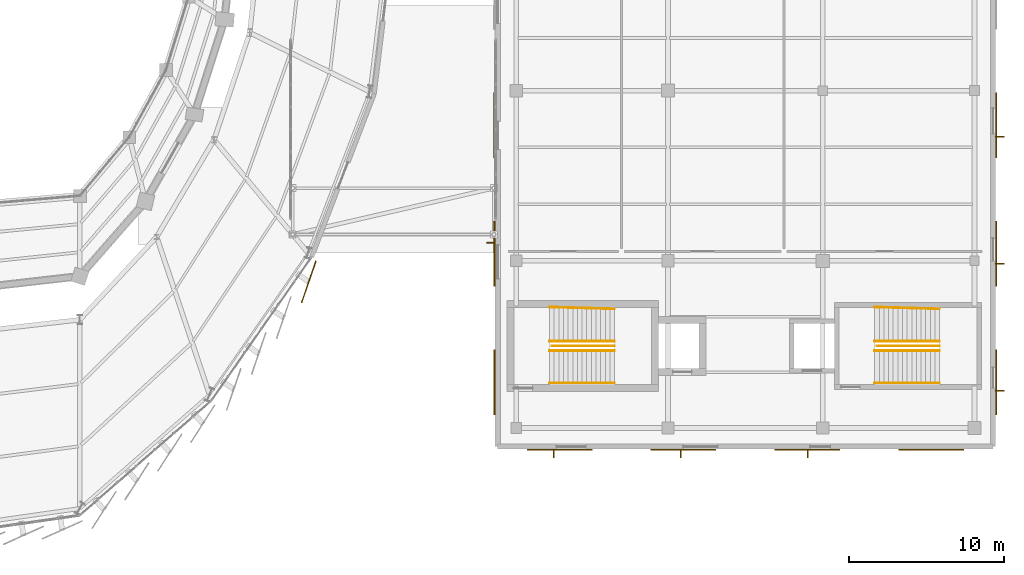
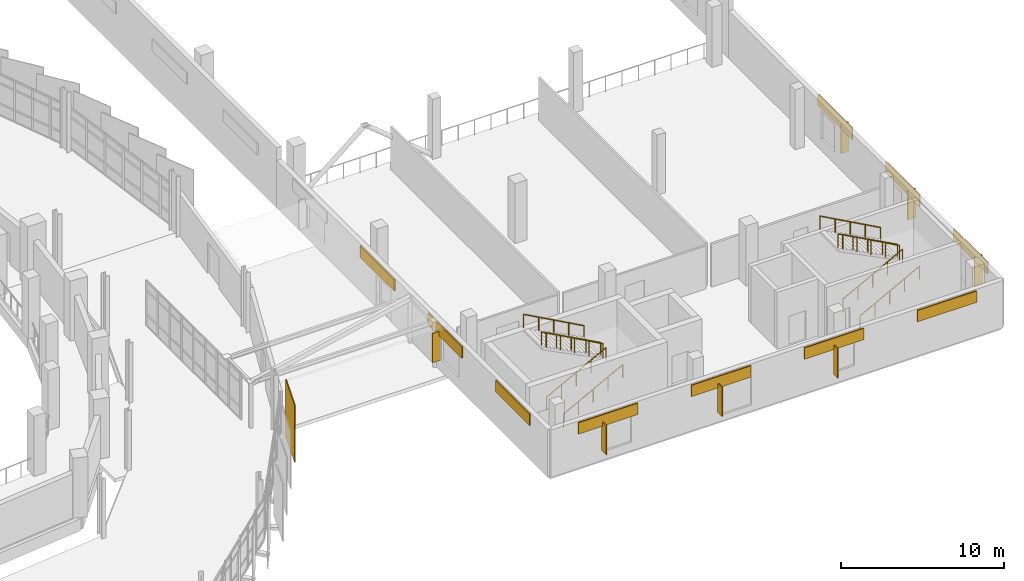
# One storey, part 122 of 125: 11 coverings, 10 railings, 7 shading devices.
"""IFC4 building model written with IfcOpenShell, lengths in metres."""

from ifc_helpers import new_model, si_unit, direction, frame, origin, origin_2d, place, context, subcontext, project, spatial, rectangle, circle, extrude, material, layer, layer_set, type_object, element, save


model = new_model("IFC4")

# Units and contexts
model_context = context("Model", 3, precision=1e-05, world=origin(), true_north=direction((0.0, 1.0)))
body_context = subcontext(model_context, "Body", "Model", "MODEL_VIEW")
ifc_project = project(units=[si_unit("LENGTHUNIT", "METRE"), si_unit("AREAUNIT", "SQUARE_METRE"), si_unit("VOLUMEUNIT", "CUBIC_METRE"), si_unit("PLANEANGLEUNIT", "RADIAN"), si_unit("MASSUNIT", "GRAM", prefix="KILO")], contexts=[model_context])

# Site, building, storey
site_placement = place(None, origin())
site = spatial("IfcSite", under=ifc_project, at=site_placement, CompositionType="ELEMENT")
building_placement = place(site_placement, origin())
building = spatial("IfcBuilding", under=site, at=building_placement, Name="Sohan Crest Arena", CompositionType="ELEMENT")
storey_placement = place(building_placement, frame((0.0, 0.0, 9.0)))
storey = spatial("IfcBuildingStorey", under=building, at=storey_placement, Name="L02", CompositionType="ELEMENT", Elevation=9.0)

# Railings
ifc_material_1 = material(Name="Powder-coated wrought steel balustrade", Category="steel")
railing_type_1 = type_object("IfcRailingType", Name="ARC-GRD-01", PredefinedType="GUARDRAIL", material=ifc_material_1)
for number, where, name in (
    (1, (202.530029296875, 50.5, 2.25), "Stair well slot guard GRD-081"),
    (2, (223.530029296875, 50.5, 2.25), "Stair well slot guard GRD-085"),
):
    element("IfcRailing", number, at=place(storey_placement, frame(where)), inside=storey, type_object=railing_type_1, Name=name, PredefinedType="GUARDRAIL", context=body_context, shape_type="SweptSolid", body=[
        extrude(circle(Radius=0.02392578125, at=origin_2d()), frame((0.0, 0.0, 1.076171875), z_axis=(-0.87313487534, 0.0, 0.487478706678), x_axis=(0.0, -1.0, 0.0)), (0.0, 0.0, 1.0), 4.615478515625),
        extrude(circle(Radius=0.02099609375, at=origin_2d()), origin(), (0.0, 0.0, 1.0), 1.052001953125),
        extrude(circle(Radius=0.02099609375, at=origin_2d()), frame((-1.007568359375, 0.0, 0.5625)), (0.0, 0.0, 1.0), 1.052001953125),
        extrude(circle(Radius=0.02099609375, at=origin_2d()), frame((-2.01513671875, 0.0, 1.125)), (0.0, 0.0, 1.0), 1.052001953125),
        extrude(circle(Radius=0.02099609375, at=origin_2d()), frame((-3.0224609375, 0.0, 1.6875)), (0.0, 0.0, 1.0), 1.052001953125),
        extrude(circle(Radius=0.02099609375, at=origin_2d()), frame((-4.030029296875, 0.0, 2.25)), (0.0, 0.0, 1.0), 1.052001953125),
    ])
ifc_material_2 = material(Name="Brushed stainless steel stair handrail", Category="steel")
railing_type_2 = type_object("IfcRailingType", Name="ARC-HR-01", PredefinedType="HANDRAIL", material=ifc_material_2)
for number, where, name in (
    (3, (198.35009765625, 48.110107421875, 0.0), "Stair pitch handrail HR-265"),
    (4, (198.35009765625, 50.18994140625, 0.0), "Stair pitch handrail HR-266"),
):
    element("IfcRailing", number, at=place(storey_placement, frame(where)), inside=storey, type_object=railing_type_2, Name=name, PredefinedType="HANDRAIL", context=body_context, shape_type="SweptSolid", body=[
        extrude(circle(Radius=0.02392578125, at=origin_2d()), frame((0.0, 0.0, 0.97607421875), z_axis=(0.881477684796, 0.0, 0.472225678258), x_axis=(0.0, 1.0, 0.0)), (0.0, 0.0, 1.0), 4.7646484375),
        extrude(circle(Radius=0.02099609375, at=origin_2d()), origin(), (0.0, 0.0, 1.0), 0.951904296875),
        extrude(circle(Radius=0.02099609375, at=origin_2d()), frame((1.050048828125, 0.0, 0.5625)), (0.0, 0.0, 1.0), 0.951904296875),
        extrude(circle(Radius=0.02099609375, at=origin_2d()), frame((2.10009765625, 0.0, 1.125)), (0.0, 0.0, 1.0), 0.951904296875),
        extrude(circle(Radius=0.02099609375, at=origin_2d()), frame((3.14990234375, 0.0, 1.6875)), (0.0, 0.0, 1.0), 0.951904296875),
        extrude(circle(Radius=0.02099609375, at=origin_2d()), frame((4.199951171875, 0.0, 2.25)), (0.0, 0.0, 1.0), 0.951904296875),
    ])
railing_1_placement = place(storey_placement, frame((202.550048828125, 50.81005859375, 2.25)))
element("IfcRailing", 5, at=railing_1_placement, inside=storey, type_object=railing_type_2, Name="Stair pitch handrail HR-267", PredefinedType="HANDRAIL", context=body_context, shape_type="SweptSolid", body=[
    extrude(circle(Radius=0.02392578125, at=origin_2d()), frame((0.0, 0.0, 0.97607421875), z_axis=(-0.881477684796, 0.0, 0.472225678258), x_axis=(0.0, -1.0, 0.0)), (0.0, 0.0, 1.0), 4.7646484375),
    extrude(circle(Radius=0.02099609375, at=origin_2d()), origin(), (0.0, 0.0, 1.0), 0.951904296875),
    extrude(circle(Radius=0.02099609375, at=origin_2d()), frame((-1.050048828125, 0.0, 0.5625)), (0.0, 0.0, 1.0), 0.951904296875),
    extrude(circle(Radius=0.02099609375, at=origin_2d()), frame((-2.10009765625, 0.0, 1.125)), (0.0, 0.0, 1.0), 0.951904296875),
    extrude(circle(Radius=0.02099609375, at=origin_2d()), frame((-3.14990234375, 0.0, 1.6875)), (0.0, 0.0, 1.0), 0.951904296875),
    extrude(circle(Radius=0.02099609375, at=origin_2d()), frame((-4.199951171875, 0.0, 2.25)), (0.0, 0.0, 1.0), 0.951904296875),
])
railing_2_placement = place(storey_placement, frame((202.550048828125, 52.889892578125, 2.25)))
element("IfcRailing", 6, at=railing_2_placement, inside=storey, type_object=railing_type_2, Name="Stair pitch handrail HR-268", PredefinedType="HANDRAIL", context=body_context, shape_type="SweptSolid", body=[
    extrude(circle(Radius=0.02392578125, at=origin_2d()), frame((0.0, 0.0, 0.97607421875), z_axis=(-0.881197710057, 0.025201957411, 0.472075690047), x_axis=(-0.028587973606, -0.999591280357, 0.0)), (0.0, 0.0, 1.0), 4.76611328125),
    extrude(circle(Radius=0.02099609375, at=origin_2d()), origin(), (0.0, 0.0, 1.0), 0.951904296875),
    extrude(circle(Radius=0.02099609375, at=origin_2d()), frame((-1.050048828125, 0.030029296875, 0.5625)), (0.0, 0.0, 1.0), 0.951904296875),
    extrude(circle(Radius=0.02099609375, at=origin_2d()), frame((-2.10009765625, 0.06005859375, 1.125)), (0.0, 0.0, 1.0), 0.951904296875),
    extrude(circle(Radius=0.02099609375, at=origin_2d()), frame((-3.14990234375, 0.090087890625, 1.6875)), (0.0, 0.0, 1.0), 0.951904296875),
    extrude(circle(Radius=0.02099609375, at=origin_2d()), frame((-4.199951171875, 0.1201171875, 2.25)), (0.0, 0.0, 1.0), 0.951904296875),
])
for number, where, name in (
    (7, (219.35009765625, 48.110107421875, 0.0), "Stair pitch handrail HR-277"),
    (8, (219.35009765625, 50.18994140625, 0.0), "Stair pitch handrail HR-278"),
):
    element("IfcRailing", number, at=place(storey_placement, frame(where)), inside=storey, type_object=railing_type_2, Name=name, PredefinedType="HANDRAIL", context=body_context, shape_type="SweptSolid", body=[
        extrude(circle(Radius=0.02392578125, at=origin_2d()), frame((0.0, 0.0, 0.97607421875), z_axis=(0.881477684796, 0.0, 0.472225678258), x_axis=(0.0, 1.0, 0.0)), (0.0, 0.0, 1.0), 4.7646484375),
        extrude(circle(Radius=0.02099609375, at=origin_2d()), origin(), (0.0, 0.0, 1.0), 0.951904296875),
        extrude(circle(Radius=0.02099609375, at=origin_2d()), frame((1.050048828125, 0.0, 0.5625)), (0.0, 0.0, 1.0), 0.951904296875),
        extrude(circle(Radius=0.02099609375, at=origin_2d()), frame((2.10009765625, 0.0, 1.125)), (0.0, 0.0, 1.0), 0.951904296875),
        extrude(circle(Radius=0.02099609375, at=origin_2d()), frame((3.14990234375, 0.0, 1.6875)), (0.0, 0.0, 1.0), 0.951904296875),
        extrude(circle(Radius=0.02099609375, at=origin_2d()), frame((4.199951171875, 0.0, 2.25)), (0.0, 0.0, 1.0), 0.951904296875),
    ])
railing_3_placement = place(storey_placement, frame((223.550048828125, 50.81005859375, 2.25)))
element("IfcRailing", 9, at=railing_3_placement, inside=storey, type_object=railing_type_2, Name="Stair pitch handrail HR-279", PredefinedType="HANDRAIL", context=body_context, shape_type="SweptSolid", body=[
    extrude(circle(Radius=0.02392578125, at=origin_2d()), frame((0.0, 0.0, 0.97607421875), z_axis=(-0.881477684796, 0.0, 0.472225678258), x_axis=(0.0, -1.0, 0.0)), (0.0, 0.0, 1.0), 4.7646484375),
    extrude(circle(Radius=0.02099609375, at=origin_2d()), origin(), (0.0, 0.0, 1.0), 0.951904296875),
    extrude(circle(Radius=0.02099609375, at=origin_2d()), frame((-1.050048828125, 0.0, 0.5625)), (0.0, 0.0, 1.0), 0.951904296875),
    extrude(circle(Radius=0.02099609375, at=origin_2d()), frame((-2.10009765625, 0.0, 1.125)), (0.0, 0.0, 1.0), 0.951904296875),
    extrude(circle(Radius=0.02099609375, at=origin_2d()), frame((-3.14990234375, 0.0, 1.6875)), (0.0, 0.0, 1.0), 0.951904296875),
    extrude(circle(Radius=0.02099609375, at=origin_2d()), frame((-4.199951171875, 0.0, 2.25)), (0.0, 0.0, 1.0), 0.951904296875),
])
railing_4_placement = place(storey_placement, frame((223.550048828125, 52.889892578125, 2.25)))
element("IfcRailing", 10, at=railing_4_placement, inside=storey, type_object=railing_type_2, Name="Stair pitch handrail HR-280", PredefinedType="HANDRAIL", context=body_context, shape_type="SweptSolid", body=[
    extrude(circle(Radius=0.02392578125, at=origin_2d()), frame((0.0, 0.0, 0.97607421875), z_axis=(-0.881197710057, 0.025201957411, 0.472075690047), x_axis=(-0.028587973606, -0.999591280357, 0.0)), (0.0, 0.0, 1.0), 4.76611328125),
    extrude(circle(Radius=0.02099609375, at=origin_2d()), origin(), (0.0, 0.0, 1.0), 0.951904296875),
    extrude(circle(Radius=0.02099609375, at=origin_2d()), frame((-1.050048828125, 0.030029296875, 0.5625)), (0.0, 0.0, 1.0), 0.951904296875),
    extrude(circle(Radius=0.02099609375, at=origin_2d()), frame((-2.10009765625, 0.06005859375, 1.125)), (0.0, 0.0, 1.0), 0.951904296875),
    extrude(circle(Radius=0.02099609375, at=origin_2d()), frame((-3.14990234375, 0.090087890625, 1.6875)), (0.0, 0.0, 1.0), 0.951904296875),
    extrude(circle(Radius=0.02099609375, at=origin_2d()), frame((-4.199951171875, 0.1201171875, 2.25)), (0.0, 0.0, 1.0), 0.951904296875),
])

# Shading devices
ifc_material_3 = material(Name="Glazed terracotta ceramic solar fin", Category="masonry")
ifc_layer_1 = layer(ifc_material_3, 0.070068359375, Name="Glazed terracotta ceramic solar fin")
ifc_layer_set_1 = layer_set([ifc_layer_1], Name="Glazed terracotta ceramic solar fin")
shading_device_type = type_object("IfcShadingDeviceType", Name="ARC-SHD-FIN1", PredefinedType="USERDEFINED", material=ifc_layer_set_1)
for number, where, z_axis, x_axis, name in (
    (11, (198.6201171875, 43.56494140625, 0.75), (0.0, 0.0, 1.0), (1.0, 0.0, 0.0), "Solar shading fin FIN-014"),
    (12, (206.820068359375, 43.56494140625, 0.75), (0.0, 0.0, 1.0), (1.0, 0.0, 0.0), "Solar shading fin FIN-015"),
    (13, (215.02001953125, 43.56494140625, 0.75), (0.0, 0.0, 1.0), (1.0, 0.0, 0.0), "Solar shading fin FIN-016"),
    (14, (227.43505859375, 47.6201171875, 0.75), (0.0, 0.0, 1.0), (0.0, 1.0, 0.0), "Solar shading fin FIN-017"),
    (15, (227.43505859375, 55.820068359375, 0.75), (0.0, 0.0, 1.0), (0.0, 1.0, 0.0), "Solar shading fin FIN-018"),
    (16, (227.43505859375, 64.02001953125, 0.75), (0.0, 0.0, 1.0), (0.0, 1.0, 0.0), "Solar shading fin FIN-019"),
    (17, (194.56494140625, 57.179931640625, 0.75), (0.0, 0.0, 1.0), (0.0, -1.0, 0.0), "Solar shading fin FIN-024"),
):
    element("IfcShadingDevice", number, at=place(storey_placement, frame(where, z_axis=z_axis, x_axis=x_axis)), inside=storey, type_object=shading_device_type, Name=name, ObjectType="FIN", PredefinedType="USERDEFINED", context=body_context, shape_type="SweptSolid", body=[
        extrude(rectangle(XDim=0.070068359375, YDim=0.550048828125, at=origin_2d()), origin(), (0.0, 0.0, 1.0), 2.199951171875),
    ])

# Coverings
ifc_material_4 = material(Name="Honed dark basalt stone cladding", Category="masonry")
ifc_layer_2 = layer(ifc_material_4, 0.0849609375, Name="Honed dark basalt stone cladding")
ifc_layer_set_2 = layer_set([ifc_layer_2], Name="Honed dark basalt stone cladding")
covering_type_1 = type_object("IfcCoveringType", Name="COV-BAS", PredefinedType="CLADDING", material=ifc_layer_set_2)
for number, where, z_axis, x_axis, name in (
    (18, (199.0, 43.79296875, 2.625), (0.0, 0.0, 1.0), (1.0, 0.0, 0.0), "Dark basalt facade panel DB-0813"),
    (19, (207.0, 43.79296875, 2.625), (0.0, 0.0, 1.0), (1.0, 0.0, 0.0), "Dark basalt facade panel DB-0814"),
    (20, (215.0, 43.79296875, 2.625), (0.0, 0.0, 1.0), (1.0, 0.0, 0.0), "Dark basalt facade panel DB-0815"),
    (21, (223.0, 43.79296875, 2.625), (0.0, 0.0, 1.0), (1.0, 0.0, 0.0), "Dark basalt facade panel DB-0816"),
    (22, (227.20703125, 48.14990234375, 2.625), (0.0, 0.0, 1.0), (0.0, 1.0, 0.0), "Dark basalt facade panel DB-0817"),
    (23, (227.20703125, 56.449951171875, 2.625), (0.0, 0.0, 1.0), (0.0, 1.0, 0.0), "Dark basalt facade panel DB-0818"),
    (24, (227.20703125, 64.75, 2.625), (0.0, 0.0, 1.0), (0.0, 1.0, 0.0), "Dark basalt facade panel DB-0819"),
    (25, (194.79296875, 64.75, 2.625), (0.0, 0.0, 1.0), (0.0, -1.0, 0.0), "Dark basalt facade panel DB-0834"),
    (26, (194.79296875, 56.449951171875, 2.625), (0.0, 0.0, 1.0), (0.0, -1.0, 0.0), "Dark basalt facade panel DB-0835"),
    (27, (194.79296875, 48.14990234375, 2.625), (0.0, 0.0, 1.0), (0.0, -1.0, 0.0), "Dark basalt facade panel DB-0836"),
):
    element("IfcCovering", number, at=place(storey_placement, frame(where, z_axis=z_axis, x_axis=x_axis)), inside=storey, type_object=covering_type_1, Name=name, PredefinedType="CLADDING", context=body_context, shape_type="SweptSolid", body=[
        extrude(rectangle(XDim=4.199951171875, YDim=0.0849609375, at=origin_2d()), origin(), (0.0, 0.0, 1.0), 0.85009765625),
    ])
ifc_material_5 = material(Name="Glazed ivory trencadis ceramic cladding", Category="masonry")
ifc_layer_3 = layer(ifc_material_5, 0.06494140625, Name="Glazed ivory trencadis ceramic cladding")
ifc_layer_set_3 = layer_set([ifc_layer_3], Name="Glazed ivory trencadis ceramic cladding")
covering_type_2 = type_object("IfcCoveringType", Name="COV-SC-IV", PredefinedType="CLADDING", material=ifc_layer_set_3)
covering_placement = place(storey_placement, frame((182.791015625, 54.64599609375, -0.2001953125), z_axis=(0.0, 0.0, 1.0), x_axis=(0.323917418198, 0.946085358828, 0.0)))
element("IfcCovering", 28, at=covering_placement, inside=storey, type_object=covering_type_2, Name="Rotated trencadis ceramic scale panel SC-0216", PredefinedType="CLADDING", context=body_context, shape_type="SweptSolid", body=[
    extrude(rectangle(XDim=2.85009765625, YDim=0.06494140625, at=origin_2d()), origin(), (0.0, 0.0, 1.0), 4.300048828125),
])

save(model, "model.ifc")
